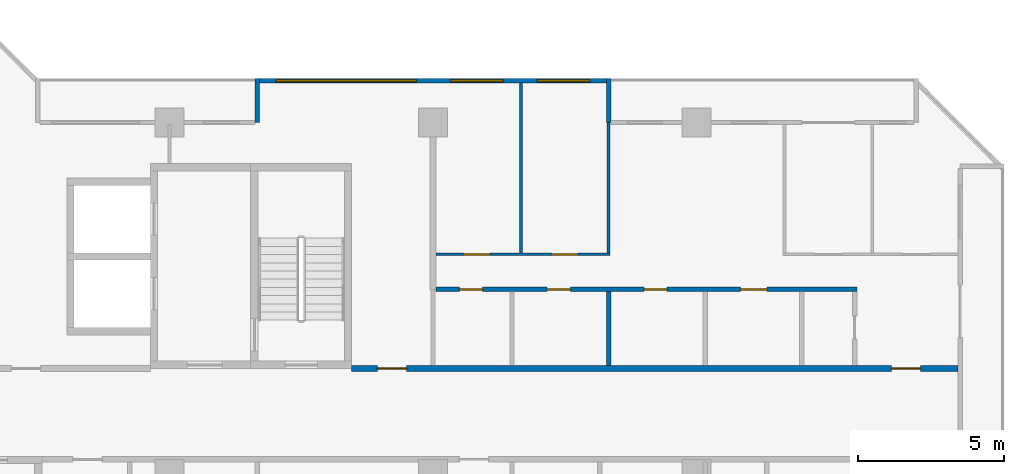
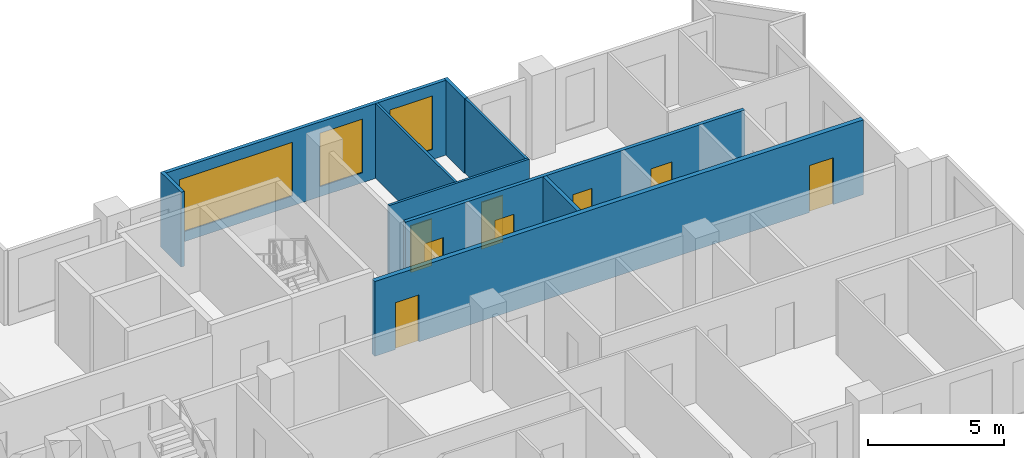
# One storey, part 8 of 16: 9 walls, 8 doors, 3 windows, 11 openings.
"""IFC4 building model written with IfcOpenShell, lengths in metres."""

from ifc_helpers import new_model, si_unit, direction, frame, frame_2d, origin, place, context, subcontext, project, spatial, rectangle, extrude, material, layer, layer_set, type_object, element, fill, save


model = new_model("IFC4")

# Units and contexts
model_context = context("Model", 3, precision=1e-05, world=origin(), true_north=direction((0.0, 1.0)))
body_context = subcontext(model_context, "Body", "Model", "MODEL_VIEW")
ifc_project = project(units=[si_unit("LENGTHUNIT", "METRE"), si_unit("AREAUNIT", "SQUARE_METRE"), si_unit("VOLUMEUNIT", "CUBIC_METRE"), si_unit("PLANEANGLEUNIT", "RADIAN"), si_unit("MASSUNIT", "GRAM", prefix="KILO")], contexts=[model_context])

# Site, building, storey
site_placement = place(None, origin())
site = spatial("IfcSite", under=ifc_project, at=site_placement, CompositionType="ELEMENT")
building_placement = place(site_placement, origin())
building = spatial("IfcBuilding", under=site, at=building_placement, Name="Chenar Terraces", CompositionType="ELEMENT")
storey_placement = place(building_placement, frame((0.0, 0.0, 103.14990234375)))
storey = spatial("IfcBuildingStorey", under=building, at=storey_placement, Name="L23", CompositionType="ELEMENT", Elevation=103.14990234375)

# Wall, openings, doors
ifc_material_1 = material(Name="Gypsum board on steel studs with fire boards", Category="steel")
ifc_layer_1 = layer(ifc_material_1, 0.199951171875)
ifc_layer_set_1 = layer_set([ifc_layer_1], Name="Gypsum board on steel studs with fire boards")
wall_type_1 = type_object("IfcWallType", Name="Corridor wall 200", PredefinedType="PARTITIONING", material=ifc_layer_set_1)
wall_1_placement = place(storey_placement, frame((51.22509765625, 15.60009765625, 0.0), z_axis=(0.0, 0.0, 1.0), x_axis=(1.0, 0.0, 0.0)))
wall_1 = element("IfcWall", 1, at=wall_1_placement, inside=storey, type_object=wall_type_1, Name="Partition L23-074", PredefinedType="PARTITIONING", context=body_context, shape_type="SweptSolid", body=[
    extrude(rectangle(XDim=20.700927734375, YDim=0.199951171875, at=frame_2d((10.3505859375, 0.0))), origin(), (0.0, 0.0, 1.0), 3.35009765625),
])
opening_1_placement = place(wall_1_placement, frame((18.425048828125, 0.0, 0.0)))
opening_1 = element("IfcOpeningElement", 2, at=opening_1_placement, cuts=wall_1, Name="Opening DL23-10", PredefinedType="OPENING", context=body_context, shape_type="SweptSolid", body=[
    extrude(rectangle(XDim=1.0, YDim=2.10009765625, at=frame_2d((0.5, 1.050048828125))), frame((0.0, 0.10986328125, 0.0), z_axis=(0.0, -1.0, 0.0), x_axis=(1.0, 0.0, 0.0)), (0.0, 0.0, 1.0), 0.219970703125),
])
opening_2_placement = place(wall_1_placement, frame((0.875, 0.0, 0.0)))
opening_2 = element("IfcOpeningElement", 3, at=opening_2_placement, cuts=wall_1, Name="Opening DL23-51", PredefinedType="OPENING", context=body_context, shape_type="SweptSolid", body=[
    extrude(rectangle(XDim=1.0, YDim=2.10009765625, at=frame_2d((0.5, 1.050048828125))), frame((0.0, 0.10986328125, 0.0), z_axis=(0.0, -1.0, 0.0), x_axis=(1.0, 0.0, 0.0)), (0.0, 0.0, 1.0), 0.219970703125),
])
ifc_material_2 = material(Name="Steel-framed fire-resisting door leaf", Category="steel")
door_type_1 = type_object("IfcDoorType", Name="Fire door FD30S 1000 x 2100", OperationType="SINGLE_SWING_LEFT", PredefinedType="DOOR", material=ifc_material_2)
door_1_placement = place(opening_1_placement, origin())
door_1 = element("IfcDoor", 4, at=door_1_placement, inside=storey, type_object=door_type_1, Name="Door DL23-10", OperationType="SINGLE_SWING_LEFT", OverallHeight=2.10009765625, OverallWidth=1.0, PredefinedType="DOOR", context=body_context, shape_type="SweptSolid", body=[
    extrude(rectangle(XDim=1.0, YDim=2.10009765625, at=frame_2d((0.5, 1.050048828125))), frame((0.0, 0.02490234375, 0.0), z_axis=(0.0, -1.0, 0.0), x_axis=(1.0, 0.0, 0.0)), (0.0, 0.0, 1.0), 0.050048828125),
])
fill(opening_1, door_1)
door_2_placement = place(opening_2_placement, origin())
door_2 = element("IfcDoor", 5, at=door_2_placement, inside=storey, type_object=door_type_1, Name="Door DL23-51", OperationType="SINGLE_SWING_RIGHT", OverallHeight=2.10009765625, OverallWidth=1.0, PredefinedType="DOOR", context=body_context, shape_type="SweptSolid", body=[
    extrude(rectangle(XDim=1.0, YDim=2.10009765625, at=frame_2d((0.5, 1.050048828125))), frame((0.0, 0.02490234375, 0.0), z_axis=(0.0, -1.0, 0.0), x_axis=(1.0, 0.0, 0.0)), (0.0, 0.0, 1.0), 0.050048828125),
])
fill(opening_2, door_2)

# Wall, openings, windows
ifc_material_3 = material(Name="Aluminium framed glazing", Category="aluminium")
ifc_layer_2 = layer(ifc_material_3, 0.14990234375)
ifc_layer_set_2 = layer_set([ifc_layer_2], Name="Aluminium framed glazing")
wall_type_2 = type_object("IfcWallType", Name="Glazed flush facade wall 150", PredefinedType="SOLIDWALL", material=ifc_layer_set_2)
wall_2_placement = place(storey_placement, frame((59.925048828125, 25.425048828125, 0.0), z_axis=(0.0, 0.0, 1.0), x_axis=(-1.0, 0.0, 0.0)))
wall_2 = element("IfcWall", 6, at=wall_2_placement, inside=storey, type_object=wall_type_2, Name="Glazed flush facade wall", PredefinedType="SOLIDWALL", context=body_context, shape_type="SweptSolid", body=[
    extrude(rectangle(XDim=11.85009765625, YDim=0.14990234375, at=frame_2d((5.925048828125, 0.0))), origin(), (0.0, 0.0, 1.0), 3.35009765625),
])
opening_3_placement = place(wall_2_placement, frame((0.5625, 0.0, 0.449951171875)))
opening_3 = element("IfcOpeningElement", 7, at=opening_3_placement, cuts=wall_2, Name="Opening W180x240", PredefinedType="OPENING", context=body_context, shape_type="SweptSolid", body=[
    extrude(rectangle(XDim=1.800048828125, YDim=2.39990234375, at=frame_2d((0.89990234375, 1.199951171875))), frame((0.0, 0.0849609375, 0.0), z_axis=(0.0, -1.0, 0.0), x_axis=(1.0, 0.0, 0.0)), (0.0, 0.0, 1.0), 0.169921875),
])
opening_4_placement = place(wall_2_placement, frame((3.52490234375, 0.0, 0.449951171875)))
opening_4 = element("IfcOpeningElement", 8, at=opening_4_placement, cuts=wall_2, Name="Opening W180x240", PredefinedType="OPENING", context=body_context, shape_type="SweptSolid", body=[
    extrude(rectangle(XDim=1.800048828125, YDim=2.39990234375, at=frame_2d((0.89990234375, 1.199951171875))), frame((0.0, 0.0849609375, 0.0), z_axis=(0.0, -1.0, 0.0), x_axis=(1.0, 0.0, 0.0)), (0.0, 0.0, 1.0), 0.169921875),
])
opening_5_placement = place(wall_2_placement, frame((6.487548828125, 0.0, 0.449951171875)))
opening_5 = element("IfcOpeningElement", 9, at=opening_5_placement, cuts=wall_2, Name="Opening W480x240", PredefinedType="OPENING", context=body_context, shape_type="SweptSolid", body=[
    extrude(rectangle(XDim=4.800048828125, YDim=2.39990234375, at=frame_2d((2.39990234375, 1.199951171875))), frame((0.0, 0.0849609375, 0.0), z_axis=(0.0, -1.0, 0.0), x_axis=(1.0, 0.0, 0.0)), (0.0, 0.0, 1.0), 0.169921875),
])
ifc_material_4 = material(Name="Low emissivity double glazing, aluminium frame", Category="aluminium")
window_type_1 = type_object("IfcWindowType", Name="Fixed light 1800 x 2400", PartitioningType="SINGLE_PANEL", PredefinedType="WINDOW", material=ifc_material_4)
window_1_placement = place(opening_3_placement, origin())
window_1 = element("IfcWindow", 10, at=window_1_placement, inside=storey, type_object=window_type_1, Name="Window", OverallHeight=2.39990234375, OverallWidth=1.800048828125, PartitioningType="SINGLE_PANEL", PredefinedType="WINDOW", context=body_context, shape_type="SweptSolid", body=[
    extrude(rectangle(XDim=1.800048828125, YDim=2.39990234375, at=frame_2d((0.89990234375, 1.199951171875))), frame((0.0, 0.030029296875, 0.0), z_axis=(0.0, -1.0, 0.0), x_axis=(1.0, 0.0, 0.0)), (0.0, 0.0, 1.0), 0.06005859375),
])
fill(opening_3, window_1)
window_2_placement = place(opening_4_placement, origin())
window_2 = element("IfcWindow", 11, at=window_2_placement, inside=storey, type_object=window_type_1, Name="Window", OverallHeight=2.39990234375, OverallWidth=1.800048828125, PartitioningType="SINGLE_PANEL", PredefinedType="WINDOW", context=body_context, shape_type="SweptSolid", body=[
    extrude(rectangle(XDim=1.800048828125, YDim=2.39990234375, at=frame_2d((0.89990234375, 1.199951171875))), frame((0.0, 0.030029296875, 0.0), z_axis=(0.0, -1.0, 0.0), x_axis=(1.0, 0.0, 0.0)), (0.0, 0.0, 1.0), 0.06005859375),
])
fill(opening_4, window_2)
ifc_material_5 = material(Name="Low emissivity double glazing, aluminium frame", Category="aluminium")
window_type_2 = type_object("IfcWindowType", Name="Fixed light 4800 x 2400", PartitioningType="SINGLE_PANEL", PredefinedType="WINDOW", material=ifc_material_5)
window_3_placement = place(opening_5_placement, origin())
window_3 = element("IfcWindow", 12, at=window_3_placement, inside=storey, type_object=window_type_2, Name="Window", OverallHeight=2.39990234375, OverallWidth=4.800048828125, PartitioningType="SINGLE_PANEL", PredefinedType="WINDOW", context=body_context, shape_type="SweptSolid", body=[
    extrude(rectangle(XDim=4.800048828125, YDim=2.39990234375, at=frame_2d((2.39990234375, 1.199951171875))), frame((0.0, 0.030029296875, 0.0), z_axis=(0.0, -1.0, 0.0), x_axis=(1.0, 0.0, 0.0)), (0.0, 0.0, 1.0), 0.06005859375),
])
fill(opening_5, window_3)

# Wall, openings, doors
ifc_material_6 = material(Name="Gypsum board on steel studs", Category="steel")
ifc_layer_3 = layer(ifc_material_6, 0.10009765625)
ifc_layer_set_3 = layer_set([ifc_layer_3], Name="Gypsum board on steel studs")
wall_type_3 = type_object("IfcWallType", Name="Gypsum partition 100", PredefinedType="PARTITIONING", material=ifc_layer_set_3)
wall_3_placement = place(storey_placement, frame((54.10009765625, 19.5, 0.0), z_axis=(0.0, 0.0, 1.0), x_axis=(1.0, 0.0, 0.0)))
wall_3 = element("IfcWall", 13, at=wall_3_placement, inside=storey, type_object=wall_type_3, Name="Partition L23-080", PredefinedType="PARTITIONING", context=body_context, shape_type="SweptSolid", body=[
    extrude(rectangle(XDim=5.949951171875, YDim=0.10009765625, at=frame_2d((2.97509765625, 0.0))), origin(), (0.0, 0.0, 1.0), 3.35009765625),
])
opening_6_placement = place(wall_3_placement, frame((0.949951171875, 0.0, 0.0)))
opening_6 = element("IfcOpeningElement", 14, at=opening_6_placement, cuts=wall_3, Name="Opening DL23-5", PredefinedType="OPENING", context=body_context, shape_type="SweptSolid", body=[
    extrude(rectangle(XDim=0.89990234375, YDim=2.10009765625, at=frame_2d((0.449951171875, 1.050048828125))), frame((0.0, 0.06005859375, 0.0), z_axis=(0.0, -1.0, 0.0), x_axis=(1.0, 0.0, 0.0)), (0.0, 0.0, 1.0), 0.1201171875),
])
opening_7_placement = place(wall_3_placement, frame((3.949951171875, 0.0, 0.0)))
opening_7 = element("IfcOpeningElement", 15, at=opening_7_placement, cuts=wall_3, Name="Opening DL23-6", PredefinedType="OPENING", context=body_context, shape_type="SweptSolid", body=[
    extrude(rectangle(XDim=0.89990234375, YDim=2.10009765625, at=frame_2d((0.449951171875, 1.050048828125))), frame((0.0, 0.06005859375, 0.0), z_axis=(0.0, -1.0, 0.0), x_axis=(1.0, 0.0, 0.0)), (0.0, 0.0, 1.0), 0.1201171875),
])
ifc_material_7 = material(Name="Veneered timber door leaf", Category="wood")
door_type_2 = type_object("IfcDoorType", Name="Door 900 x 2100", OperationType="SINGLE_SWING_LEFT", PredefinedType="DOOR", material=ifc_material_7)
door_3_placement = place(opening_6_placement, origin())
door_3 = element("IfcDoor", 16, at=door_3_placement, inside=storey, type_object=door_type_2, Name="Door DL23-5", OperationType="SINGLE_SWING_RIGHT", OverallHeight=2.10009765625, OverallWidth=0.89990234375, PredefinedType="DOOR", context=body_context, shape_type="SweptSolid", body=[
    extrude(rectangle(XDim=0.89990234375, YDim=2.10009765625, at=frame_2d((0.449951171875, 1.050048828125))), frame((0.0, 0.02490234375, 0.0), z_axis=(0.0, -1.0, 0.0), x_axis=(1.0, 0.0, 0.0)), (0.0, 0.0, 1.0), 0.050048828125),
])
fill(opening_6, door_3)
door_4_placement = place(opening_7_placement, origin())
door_4 = element("IfcDoor", 17, at=door_4_placement, inside=storey, type_object=door_type_2, Name="Door DL23-6", OperationType="SINGLE_SWING_RIGHT", OverallHeight=2.10009765625, OverallWidth=0.89990234375, PredefinedType="DOOR", context=body_context, shape_type="SweptSolid", body=[
    extrude(rectangle(XDim=0.89990234375, YDim=2.10009765625, at=frame_2d((0.449951171875, 1.050048828125))), frame((0.0, 0.02490234375, 0.0), z_axis=(0.0, -1.0, 0.0), x_axis=(1.0, 0.0, 0.0)), (0.0, 0.0, 1.0), 0.050048828125),
])
fill(opening_7, door_4)

# Walls
wall_4_placement = place(storey_placement, frame((57.0, 19.550048828125, 0.0), z_axis=(0.0, 0.0, 1.0), x_axis=(0.0, 1.0, 0.0)))
element("IfcWall", 18, at=wall_4_placement, inside=storey, type_object=wall_type_3, Name="Partition L23-085", PredefinedType="PARTITIONING", context=body_context, shape_type="SweptSolid", body=[
    extrude(rectangle(XDim=5.801025390625, YDim=0.10009765625, at=frame_2d((2.900390625, 0.0))), origin(), (0.0, 0.0, 1.0), 3.35009765625),
])
wall_5_placement = place(storey_placement, frame((60.0, 19.550048828125, 0.0), z_axis=(0.0, 0.0, 1.0), x_axis=(0.0, 1.0, 0.0)))
element("IfcWall", 19, at=wall_5_placement, inside=storey, type_object=wall_type_3, Name="Partition L23-089", PredefinedType="PARTITIONING", context=body_context, shape_type="SweptSolid", body=[
    extrude(rectangle(XDim=4.449951171875, YDim=0.10009765625, at=frame_2d((2.22509765625, 0.0))), origin(), (0.0, 0.0, 1.0), 3.35009765625),
])
ifc_material_8 = material(Name="Terracotta cladding on insulated backing", Category="masonry")
ifc_layer_4 = layer(ifc_material_8, 0.14990234375)
ifc_layer_set_4 = layer_set([ifc_layer_4], Name="Terracotta cladding on insulated backing")
wall_type_4 = type_object("IfcWallType", Name="Loggia return wall 150", PredefinedType="SOLIDWALL", material=ifc_layer_set_4)
for number, where, z_axis, x_axis, name in (
    (20, (60.0, 25.5, 0.0), (0.0, 0.0, 1.0), (0.0, -1.0, 0.0), "Loggia return wall"),
    (21, (48.0, 25.5, 0.0), (0.0, 0.0, 1.0), (0.0, -1.0, 0.0), "Loggia return wall"),
):
    element("IfcWall", number, at=place(storey_placement, frame(where, z_axis=z_axis, x_axis=x_axis)), inside=storey, type_object=wall_type_4, Name=name, PredefinedType="SOLIDWALL", context=body_context, shape_type="SweptSolid", body=[
        extrude(rectangle(XDim=1.5, YDim=0.14990234375, at=frame_2d((0.75, 0.0))), origin(), (0.0, 0.0, 1.0), 3.35009765625),
    ])

# Wall, openings, doors
ifc_material_9 = material(Name="Moisture-resistant gypsum board on steel studs", Category="steel")
ifc_layer_5 = layer(ifc_material_9, 0.14990234375)
ifc_layer_set_5 = layer_set([ifc_layer_5], Name="Moisture-resistant gypsum board on steel studs")
wall_type_5 = type_object("IfcWallType", Name="Wet-room partition 150", PredefinedType="PARTITIONING", material=ifc_layer_set_5)
wall_6_placement = place(storey_placement, frame((54.10009765625, 18.300048828125, 0.0), z_axis=(0.0, 0.0, 1.0), x_axis=(1.0, 0.0, 0.0)))
wall_6 = element("IfcWall", 22, at=wall_6_placement, inside=storey, type_object=wall_type_5, Name="Partition L23-079", PredefinedType="PARTITIONING", context=body_context, shape_type="SweptSolid", body=[
    extrude(rectangle(XDim=14.375, YDim=0.14990234375, at=frame_2d((7.1875, 0.0))), origin(), (0.0, 0.0, 1.0), 3.35009765625),
])
opening_8_placement = place(wall_6_placement, frame((3.800048828125, 0.0, 0.0)))
opening_8 = element("IfcOpeningElement", 23, at=opening_8_placement, cuts=wall_6, Name="Opening DL23-4", PredefinedType="OPENING", context=body_context, shape_type="SweptSolid", body=[
    extrude(rectangle(XDim=0.800048828125, YDim=2.10009765625, at=frame_2d((0.39990234375, 1.050048828125))), frame((0.0, 0.0849609375, 0.0), z_axis=(0.0, -1.0, 0.0), x_axis=(1.0, 0.0, 0.0)), (0.0, 0.0, 1.0), 0.169921875),
])
opening_9_placement = place(wall_6_placement, frame((10.39990234375, 0.0, 0.0)))
opening_9 = element("IfcOpeningElement", 24, at=opening_9_placement, cuts=wall_6, Name="Opening DL23-8", PredefinedType="OPENING", context=body_context, shape_type="SweptSolid", body=[
    extrude(rectangle(XDim=0.89990234375, YDim=2.10009765625, at=frame_2d((0.449951171875, 1.050048828125))), frame((0.0, 0.0849609375, 0.0), z_axis=(0.0, -1.0, 0.0), x_axis=(1.0, 0.0, 0.0)), (0.0, 0.0, 1.0), 0.169921875),
])
opening_10_placement = place(wall_6_placement, frame((0.800048828125, 0.0, 0.0)))
opening_10 = element("IfcOpeningElement", 25, at=opening_10_placement, cuts=wall_6, Name="Opening DL23-9", PredefinedType="OPENING", context=body_context, shape_type="SweptSolid", body=[
    extrude(rectangle(XDim=0.800048828125, YDim=2.10009765625, at=frame_2d((0.39990234375, 1.050048828125))), frame((0.0, 0.0849609375, 0.0), z_axis=(0.0, -1.0, 0.0), x_axis=(1.0, 0.0, 0.0)), (0.0, 0.0, 1.0), 0.169921875),
])
opening_11_placement = place(wall_6_placement, frame((7.10009765625, 0.0, 0.0)))
opening_11 = element("IfcOpeningElement", 26, at=opening_11_placement, cuts=wall_6, Name="Opening DL23-12", PredefinedType="OPENING", context=body_context, shape_type="SweptSolid", body=[
    extrude(rectangle(XDim=0.800048828125, YDim=2.10009765625, at=frame_2d((0.39990234375, 1.050048828125))), frame((0.0, 0.0849609375, 0.0), z_axis=(0.0, -1.0, 0.0), x_axis=(1.0, 0.0, 0.0)), (0.0, 0.0, 1.0), 0.169921875),
])
ifc_material_10 = material(Name="Veneered timber door leaf", Category="wood")
door_type_3 = type_object("IfcDoorType", Name="Door 800 x 2100", OperationType="SINGLE_SWING_LEFT", PredefinedType="DOOR", material=ifc_material_10)
door_5_placement = place(opening_8_placement, frame((0.800048828125, 0.0, 0.0), z_axis=(0.0, 0.0, 1.0), x_axis=(-1.0, 0.0, 0.0)))
door_5 = element("IfcDoor", 27, at=door_5_placement, inside=storey, type_object=door_type_3, Name="Door DL23-4", OperationType="SINGLE_SWING_RIGHT", OverallHeight=2.10009765625, OverallWidth=0.800048828125, PredefinedType="DOOR", context=body_context, shape_type="SweptSolid", body=[
    extrude(rectangle(XDim=0.800048828125, YDim=2.10009765625, at=frame_2d((0.39990234375, 1.050048828125))), frame((0.0, 0.02490234375, 0.0), z_axis=(0.0, -1.0, 0.0), x_axis=(1.0, 0.0, 0.0)), (0.0, 0.0, 1.0), 0.050048828125),
])
fill(opening_8, door_5)
door_6_placement = place(opening_10_placement, frame((0.800048828125, 0.0, 0.0), z_axis=(0.0, 0.0, 1.0), x_axis=(-1.0, 0.0, 0.0)))
door_6 = element("IfcDoor", 28, at=door_6_placement, inside=storey, type_object=door_type_3, Name="Door DL23-9", OperationType="SINGLE_SWING_RIGHT", OverallHeight=2.10009765625, OverallWidth=0.800048828125, PredefinedType="DOOR", context=body_context, shape_type="SweptSolid", body=[
    extrude(rectangle(XDim=0.800048828125, YDim=2.10009765625, at=frame_2d((0.39990234375, 1.050048828125))), frame((0.0, 0.02490234375, 0.0), z_axis=(0.0, -1.0, 0.0), x_axis=(1.0, 0.0, 0.0)), (0.0, 0.0, 1.0), 0.050048828125),
])
fill(opening_10, door_6)
door_7_placement = place(opening_11_placement, frame((0.800048828125, 0.0, 0.0), z_axis=(0.0, 0.0, 1.0), x_axis=(-1.0, 0.0, 0.0)))
door_7 = element("IfcDoor", 29, at=door_7_placement, inside=storey, type_object=door_type_3, Name="Door DL23-12", OperationType="SINGLE_SWING_RIGHT", OverallHeight=2.10009765625, OverallWidth=0.800048828125, PredefinedType="DOOR", context=body_context, shape_type="SweptSolid", body=[
    extrude(rectangle(XDim=0.800048828125, YDim=2.10009765625, at=frame_2d((0.39990234375, 1.050048828125))), frame((0.0, 0.02490234375, 0.0), z_axis=(0.0, -1.0, 0.0), x_axis=(1.0, 0.0, 0.0)), (0.0, 0.0, 1.0), 0.050048828125),
])
fill(opening_11, door_7)
door_8_placement = place(opening_9_placement, frame((0.89990234375, 0.0, 0.0), z_axis=(0.0, 0.0, 1.0), x_axis=(-1.0, 0.0, 0.0)))
door_8 = element("IfcDoor", 30, at=door_8_placement, inside=storey, type_object=door_type_2, Name="Door DL23-8", OperationType="SINGLE_SWING_LEFT", OverallHeight=2.10009765625, OverallWidth=0.89990234375, PredefinedType="DOOR", context=body_context, shape_type="SweptSolid", body=[
    extrude(rectangle(XDim=0.89990234375, YDim=2.10009765625, at=frame_2d((0.449951171875, 1.050048828125))), frame((0.0, 0.02490234375, 0.0), z_axis=(0.0, -1.0, 0.0), x_axis=(1.0, 0.0, 0.0)), (0.0, 0.0, 1.0), 0.050048828125),
])
fill(opening_9, door_8)

# Wall
wall_7_placement = place(storey_placement, frame((60.0, 15.699951171875, 0.0), z_axis=(0.0, 0.0, 1.0), x_axis=(0.0, 1.0, 0.0)))
element("IfcWall", 31, at=wall_7_placement, inside=storey, type_object=wall_type_5, Name="Partition L23-088", PredefinedType="PARTITIONING", context=body_context, shape_type="SweptSolid", body=[
    extrude(rectangle(XDim=2.525146484375, YDim=0.14990234375, at=frame_2d((1.2626953125, 0.0))), origin(), (0.0, 0.0, 1.0), 3.35009765625),
])

save(model, "model.ifc")
